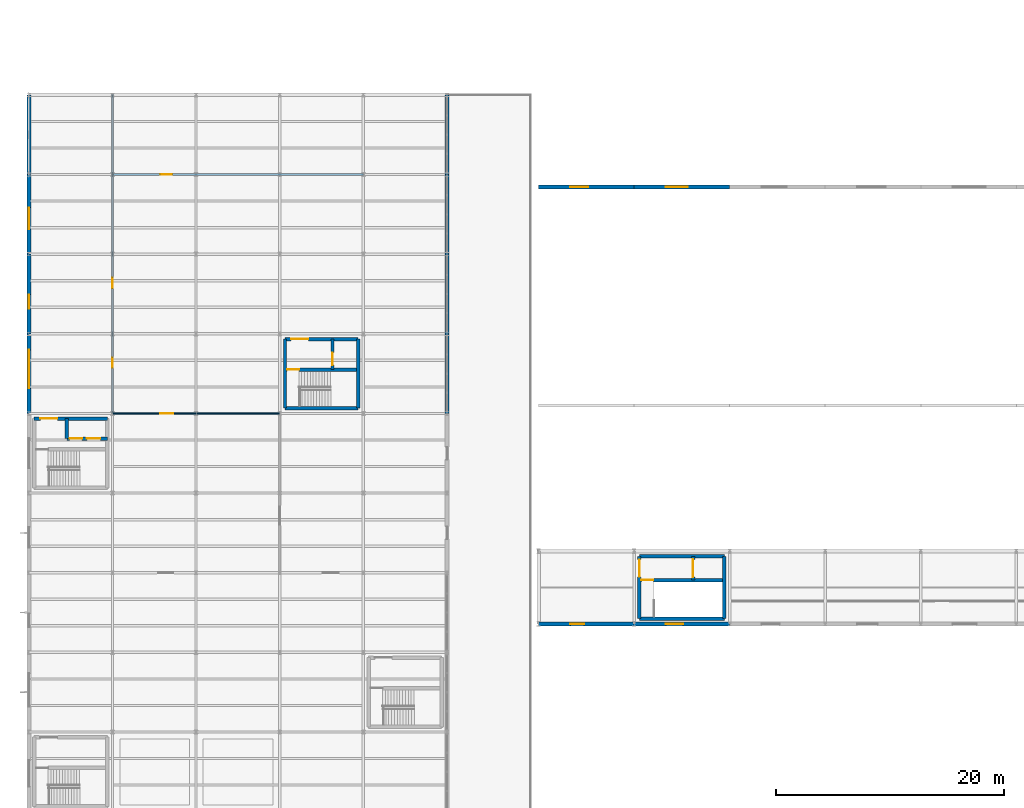
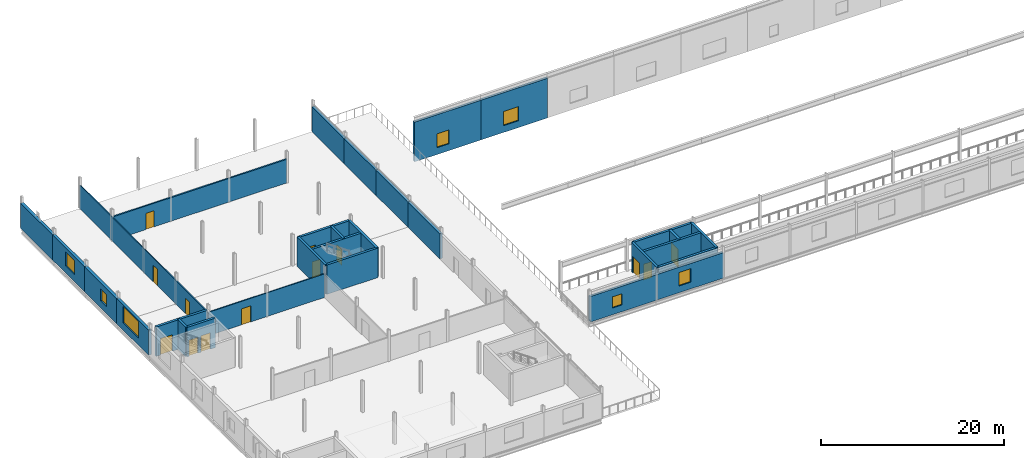
# One storey, part 31 of 39: 30 walls, 13 doors, 7 windows, 20 openings.
"""IFC4 building model written with IfcOpenShell, lengths in metres."""

from ifc_helpers import new_model, si_unit, direction, frame, frame_2d, origin, place, context, subcontext, project, spatial, rectangle, extrude, material, layer, layer_set, type_object, element, fill, save


model = new_model("IFC4")

# Units and contexts
model_context = context("Model", 3, precision=1e-05, world=origin(), true_north=direction((0.0, 1.0)))
body_context = subcontext(model_context, "Body", "Model", "MODEL_VIEW")
ifc_project = project(units=[si_unit("LENGTHUNIT", "METRE"), si_unit("AREAUNIT", "SQUARE_METRE"), si_unit("VOLUMEUNIT", "CUBIC_METRE"), si_unit("PLANEANGLEUNIT", "RADIAN"), si_unit("MASSUNIT", "GRAM", prefix="KILO")], contexts=[model_context])

# Site, building, storey
site_placement = place(None, origin())
site = spatial("IfcSite", under=ifc_project, at=site_placement, CompositionType="ELEMENT")
building_placement = place(site_placement, origin())
building = spatial("IfcBuilding", under=site, at=building_placement, Name="Kazenagashi Tramway Depot", CompositionType="ELEMENT")
storey_placement = place(building_placement, frame((0.0, 0.0, 11.1)))
storey = spatial("IfcBuildingStorey", under=building, at=storey_placement, Name="L03", CompositionType="ELEMENT", Elevation=11.1)

# Wall, opening, window
ifc_material_1 = material(Name="Clay Brick Masonry JIS R 1250 Class 1 (20 MPa)", Category="masonry")
ifc_layer_1 = layer(ifc_material_1, 0.36)
ifc_layer_set_1 = layer_set([ifc_layer_1], Name="Clay Brick Masonry JIS R 1250 Class 1 (20 MPa)")
wall_type_1 = type_object("IfcWallType", Name="W-BK2", PredefinedType="SOLIDWALL", material=ifc_layer_set_1)
wall_1_placement = place(storey_placement, frame((0.0, 35.0, 0.0), z_axis=(0.0, 0.0, 1.0), x_axis=(0.0, 1.0, 0.0)))
wall_1 = element("IfcWall", 1, at=wall_1_placement, inside=storey, type_object=wall_type_1, Name="Exterior Brick Wall W-BK2 EWALL-0226", PredefinedType="SOLIDWALL", context=body_context, shape_type="SweptSolid", body=[
    extrude(rectangle(XDim=7.0, YDim=0.36, at=frame_2d((3.5, 0.0))), origin(), (0.0, 0.0, 1.0), 3.35),
])
opening_1_placement = place(wall_1_placement, frame((2.2, 0.0, 0.95)))
opening_1 = element("IfcOpeningElement", 2, at=opening_1_placement, cuts=wall_1, Name="Opening WN-16", PredefinedType="OPENING", context=body_context, shape_type="SweptSolid", body=[
    extrude(rectangle(XDim=3.4, YDim=2.2, at=frame_2d((1.7, 1.1))), frame((0.0, 0.19, 0.0), z_axis=(0.0, -1.0, 0.0), x_axis=(1.0, 0.0, 0.0)), (0.0, 0.0, 1.0), 0.38),
])
ifc_material_2 = material(Name="Anodised Aluminium and Tempered Low-E Glass", Category="aluminium")
window_type_1 = type_object("IfcWindowType", Name="WN-16", PartitioningType="SINGLE_PANEL", PredefinedType="WINDOW", material=ifc_material_2)
window_1_placement = place(opening_1_placement, origin())
window_1 = element("IfcWindow", 3, at=window_1_placement, inside=storey, type_object=window_type_1, Name="Window WN-16 WIN-0208", OverallHeight=2.2, OverallWidth=3.4, PartitioningType="SINGLE_PANEL", PredefinedType="WINDOW", context=body_context, shape_type="SweptSolid", body=[
    extrude(rectangle(XDim=3.4, YDim=2.2, at=frame_2d((1.7, 1.1))), frame((0.0, 0.03, 0.0), z_axis=(0.0, -1.0, 0.0), x_axis=(1.0, 0.0, 0.0)), (0.0, 0.0, 1.0), 0.06),
])
fill(opening_1, window_1)

wall_2_placement = place(storey_placement, frame((0.0, 42.0, 0.0), z_axis=(0.0, 0.0, 1.0), x_axis=(0.0, 1.0, 0.0)))
wall_2 = element("IfcWall", 4, at=wall_2_placement, inside=storey, type_object=wall_type_1, Name="Exterior Brick Wall W-BK2 EWALL-0231", PredefinedType="SOLIDWALL", context=body_context, shape_type="SweptSolid", body=[
    extrude(rectangle(XDim=7.0, YDim=0.36, at=frame_2d((3.5, 0.0))), origin(), (0.0, 0.0, 1.0), 3.35),
])
opening_2_placement = place(wall_2_placement, frame((2.2, 0.0, 0.95)))
opening_2 = element("IfcOpeningElement", 5, at=opening_2_placement, cuts=wall_2, Name="Opening WN-21", PredefinedType="OPENING", context=body_context, shape_type="SweptSolid", body=[
    extrude(rectangle(XDim=1.25, YDim=1.55, at=frame_2d((0.625, 0.775))), frame((0.0, 0.19, 0.0), z_axis=(0.0, -1.0, 0.0), x_axis=(1.0, 0.0, 0.0)), (0.0, 0.0, 1.0), 0.38),
])
window_type_2 = type_object("IfcWindowType", Name="WN-21", PartitioningType="SINGLE_PANEL", PredefinedType="WINDOW", material=ifc_material_2)
window_2_placement = place(opening_2_placement, origin())
window_2 = element("IfcWindow", 6, at=window_2_placement, inside=storey, type_object=window_type_2, Name="Window WN-21 WIN-0213", OverallHeight=1.55, OverallWidth=1.25, PartitioningType="SINGLE_PANEL", PredefinedType="WINDOW", context=body_context, shape_type="SweptSolid", body=[
    extrude(rectangle(XDim=1.25, YDim=1.55, at=frame_2d((0.625, 0.775))), frame((0.0, 0.03, 0.0), z_axis=(0.0, -1.0, 0.0), x_axis=(1.0, 0.0, 0.0)), (0.0, 0.0, 1.0), 0.06),
])
fill(opening_2, window_2)

wall_3_placement = place(storey_placement, frame((0.0, 49.0, 0.0), z_axis=(0.0, 0.0, 1.0), x_axis=(0.0, 1.0, 0.0)))
wall_3 = element("IfcWall", 7, at=wall_3_placement, inside=storey, type_object=wall_type_1, Name="Exterior Brick Wall W-BK2 EWALL-0235", PredefinedType="SOLIDWALL", context=body_context, shape_type="SweptSolid", body=[
    extrude(rectangle(XDim=7.0, YDim=0.36, at=frame_2d((3.5, 0.0))), origin(), (0.0, 0.0, 1.0), 3.35),
])
opening_3_placement = place(wall_3_placement, frame((2.2, 0.0, 0.95)))
opening_3 = element("IfcOpeningElement", 8, at=opening_3_placement, cuts=wall_3, Name="Opening WN-25", PredefinedType="OPENING", context=body_context, shape_type="SweptSolid", body=[
    extrude(rectangle(XDim=1.9, YDim=1.9, at=frame_2d((0.95, 0.95))), frame((0.0, 0.19, 0.0), z_axis=(0.0, -1.0, 0.0), x_axis=(1.0, 0.0, 0.0)), (0.0, 0.0, 1.0), 0.38),
])
window_type_3 = type_object("IfcWindowType", Name="WN-25", PartitioningType="SINGLE_PANEL", PredefinedType="WINDOW", material=ifc_material_2)
window_3_placement = place(opening_3_placement, origin())
window_3 = element("IfcWindow", 9, at=window_3_placement, inside=storey, type_object=window_type_3, Name="Window WN-25 WIN-0217", OverallHeight=1.9, OverallWidth=1.9, PartitioningType="SINGLE_PANEL", PredefinedType="WINDOW", context=body_context, shape_type="SweptSolid", body=[
    extrude(rectangle(XDim=1.9, YDim=1.9, at=frame_2d((0.95, 0.95))), frame((0.0, 0.03, 0.0), z_axis=(0.0, -1.0, 0.0), x_axis=(1.0, 0.0, 0.0)), (0.0, 0.0, 1.0), 0.06),
])
fill(opening_3, window_3)

# Wall
wall_4_placement = place(storey_placement, frame((0.0, 56.0, 0.0), z_axis=(0.0, 0.0, 1.0), x_axis=(0.0, 1.0, 0.0)))
element("IfcWall", 10, at=wall_4_placement, inside=storey, type_object=wall_type_1, Name="Exterior Brick Wall W-BK2 EWALL-0238", PredefinedType="SOLIDWALL", context=body_context, shape_type="SweptSolid", body=[
    extrude(rectangle(XDim=7.0, YDim=0.36, at=frame_2d((3.5, 0.0))), origin(), (0.0, 0.0, 1.0), 3.35),
])

# Wall, opening, window
ifc_layer_2 = layer(ifc_material_1, 0.32)
ifc_layer_set_2 = layer_set([ifc_layer_2], Name="Clay Brick Masonry JIS R 1250 Class 1 (20 MPa)")
wall_type_2 = type_object("IfcWallType", Name="W-BK3", PredefinedType="SOLIDWALL", material=ifc_layer_set_2)
wall_5_placement = place(storey_placement, frame((44.8, 16.5, 0.0), z_axis=(0.0, 0.0, 1.0), x_axis=(1.0, 0.0, 0.0)))
wall_5 = element("IfcWall", 11, at=wall_5_placement, inside=storey, type_object=wall_type_2, Name="Exterior Brick Wall W-BK3 EWALL-0078", PredefinedType="SOLIDWALL", context=body_context, shape_type="SweptSolid", body=[
    extrude(rectangle(XDim=8.4, YDim=0.32, at=frame_2d((4.2, 0.0))), origin(), (0.0, 0.0, 1.0), 3.4),
])
opening_4_placement = place(wall_5_placement, frame((2.8, 0.0, 0.9)))
opening_4 = element("IfcOpeningElement", 12, at=opening_4_placement, cuts=wall_5, Name="Opening WN-01", PredefinedType="OPENING", context=body_context, shape_type="SweptSolid", body=[
    extrude(rectangle(XDim=1.2, YDim=1.5, at=frame_2d((0.6, 0.75))), frame((0.0, 0.17, 0.0), z_axis=(0.0, -1.0, 0.0), x_axis=(1.0, 0.0, 0.0)), (0.0, 0.0, 1.0), 0.34),
])
window_type_4 = type_object("IfcWindowType", Name="WN-01", PartitioningType="SINGLE_PANEL", PredefinedType="WINDOW", material=ifc_material_2)
window_4_placement = place(opening_4_placement, origin())
window_4 = element("IfcWindow", 13, at=window_4_placement, inside=storey, type_object=window_type_4, Name="Window WN-01 WIN-0049", OverallHeight=1.5, OverallWidth=1.2, PartitioningType="SINGLE_PANEL", PredefinedType="WINDOW", context=body_context, shape_type="SweptSolid", body=[
    extrude(rectangle(XDim=1.2, YDim=1.5, at=frame_2d((0.6, 0.75))), frame((0.0, 0.03, 0.0), z_axis=(0.0, -1.0, 0.0), x_axis=(1.0, 0.0, 0.0)), (0.0, 0.0, 1.0), 0.06),
])
fill(opening_4, window_4)

wall_6_placement = place(storey_placement, frame((53.2, 16.5, 0.0), z_axis=(0.0, 0.0, 1.0), x_axis=(1.0, 0.0, 0.0)))
wall_6 = element("IfcWall", 14, at=wall_6_placement, inside=storey, type_object=wall_type_2, Name="Exterior Brick Wall W-BK3 EWALL-0080", PredefinedType="SOLIDWALL", context=body_context, shape_type="SweptSolid", body=[
    extrude(rectangle(XDim=8.4, YDim=0.32, at=frame_2d((4.2, 0.0))), origin(), (0.0, 0.0, 1.0), 3.4),
])
opening_5_placement = place(wall_6_placement, frame((2.8, 0.0, 0.9)))
opening_5 = element("IfcOpeningElement", 15, at=opening_5_placement, cuts=wall_6, Name="Opening WN-03", PredefinedType="OPENING", context=body_context, shape_type="SweptSolid", body=[
    extrude(rectangle(XDim=1.5, YDim=1.8, at=frame_2d((0.75, 0.9))), frame((0.0, 0.17, 0.0), z_axis=(0.0, -1.0, 0.0), x_axis=(1.0, 0.0, 0.0)), (0.0, 0.0, 1.0), 0.34),
])
window_type_5 = type_object("IfcWindowType", Name="WN-03", PartitioningType="SINGLE_PANEL", PredefinedType="WINDOW", material=ifc_material_2)
window_5_placement = place(opening_5_placement, origin())
window_5 = element("IfcWindow", 16, at=window_5_placement, inside=storey, type_object=window_type_5, Name="Window WN-03 WIN-0051", OverallHeight=1.8, OverallWidth=1.5, PartitioningType="SINGLE_PANEL", PredefinedType="WINDOW", context=body_context, shape_type="SweptSolid", body=[
    extrude(rectangle(XDim=1.5, YDim=1.8, at=frame_2d((0.75, 0.9))), frame((0.0, 0.03, 0.0), z_axis=(0.0, -1.0, 0.0), x_axis=(1.0, 0.0, 0.0)), (0.0, 0.0, 1.0), 0.06),
])
fill(opening_5, window_5)

wall_7_placement = place(storey_placement, frame((44.8, 54.9, -1.9), z_axis=(0.0, 0.0, 1.0), x_axis=(1.0, 0.0, 0.0)))
wall_7 = element("IfcWall", 17, at=wall_7_placement, inside=storey, type_object=wall_type_2, Name="Exterior Brick Wall W-BK3 EWALL-0102", PredefinedType="SOLIDWALL", context=body_context, shape_type="SweptSolid", body=[
    extrude(rectangle(XDim=8.4, YDim=0.32, at=frame_2d((4.2, 0.0))), origin(), (0.0, 0.0, 1.0), 5.3),
])
opening_6_placement = place(wall_7_placement, frame((2.8, 0.0, 0.9)))
opening_6 = element("IfcOpeningElement", 18, at=opening_6_placement, cuts=wall_7, Name="Opening WN-23", PredefinedType="OPENING", context=body_context, shape_type="SweptSolid", body=[
    extrude(rectangle(XDim=1.55, YDim=1.85, at=frame_2d((0.775, 0.925))), frame((0.0, 0.17, 0.0), z_axis=(0.0, -1.0, 0.0), x_axis=(1.0, 0.0, 0.0)), (0.0, 0.0, 1.0), 0.34),
])
window_type_6 = type_object("IfcWindowType", Name="WN-23", PartitioningType="SINGLE_PANEL", PredefinedType="WINDOW", material=ifc_material_2)
window_6_placement = place(opening_6_placement, origin())
window_6 = element("IfcWindow", 19, at=window_6_placement, inside=storey, type_object=window_type_6, Name="Window WN-23 WIN-0071", OverallHeight=1.85, OverallWidth=1.55, PartitioningType="SINGLE_PANEL", PredefinedType="WINDOW", context=body_context, shape_type="SweptSolid", body=[
    extrude(rectangle(XDim=1.55, YDim=1.85, at=frame_2d((0.775, 0.925))), frame((0.0, 0.03, 0.0), z_axis=(0.0, -1.0, 0.0), x_axis=(1.0, 0.0, 0.0)), (0.0, 0.0, 1.0), 0.06),
])
fill(opening_6, window_6)

wall_8_placement = place(storey_placement, frame((53.2, 54.9, -1.9), z_axis=(0.0, 0.0, 1.0), x_axis=(1.0, 0.0, 0.0)))
wall_8 = element("IfcWall", 20, at=wall_8_placement, inside=storey, type_object=wall_type_2, Name="Exterior Brick Wall W-BK3 EWALL-0104", PredefinedType="SOLIDWALL", context=body_context, shape_type="SweptSolid", body=[
    extrude(rectangle(XDim=8.4, YDim=0.32, at=frame_2d((4.2, 0.0))), origin(), (0.0, 0.0, 1.0), 5.3),
])
opening_7_placement = place(wall_8_placement, frame((2.8, 0.0, 0.9)))
opening_7 = element("IfcOpeningElement", 21, at=opening_7_placement, cuts=wall_8, Name="Opening WN-25", PredefinedType="OPENING", context=body_context, shape_type="SweptSolid", body=[
    extrude(rectangle(XDim=1.9, YDim=1.9, at=frame_2d((0.95, 0.95))), frame((0.0, 0.17, 0.0), z_axis=(0.0, -1.0, 0.0), x_axis=(1.0, 0.0, 0.0)), (0.0, 0.0, 1.0), 0.34),
])
window_7_placement = place(opening_7_placement, origin())
window_7 = element("IfcWindow", 22, at=window_7_placement, inside=storey, type_object=window_type_3, Name="Window WN-25 WIN-0073", OverallHeight=1.9, OverallWidth=1.9, PartitioningType="SINGLE_PANEL", PredefinedType="WINDOW", context=body_context, shape_type="SweptSolid", body=[
    extrude(rectangle(XDim=1.9, YDim=1.9, at=frame_2d((0.95, 0.95))), frame((0.0, 0.03, 0.0), z_axis=(0.0, -1.0, 0.0), x_axis=(1.0, 0.0, 0.0)), (0.0, 0.0, 1.0), 0.06),
])
fill(opening_7, window_7)

# Walls
for number, where, z_axis, x_axis, name in (
    (23, (36.75, 35.0, 0.0), (0.0, 0.0, 1.0), (0.0, 1.0, 0.0), "Exterior Brick Wall W-BK3 EWALL-0244"),
    (24, (36.75, 42.0, 0.0), (0.0, 0.0, 1.0), (0.0, 1.0, 0.0), "Exterior Brick Wall W-BK3 EWALL-0245"),
    (25, (36.75, 49.0, 0.0), (0.0, 0.0, 1.0), (0.0, 1.0, 0.0), "Exterior Brick Wall W-BK3 EWALL-0246"),
    (26, (36.75, 56.0, 0.0), (0.0, 0.0, 1.0), (0.0, 1.0, 0.0), "Exterior Brick Wall W-BK3 EWALL-0247"),
):
    element("IfcWall", number, at=place(storey_placement, frame(where, z_axis=z_axis, x_axis=x_axis)), inside=storey, type_object=wall_type_2, Name=name, PredefinedType="SOLIDWALL", context=body_context, shape_type="SweptSolid", body=[
        extrude(rectangle(XDim=7.0, YDim=0.32, at=frame_2d((3.5, 0.0))), origin(), (0.0, 0.0, 1.0), 3.35),
    ])

# Wall, opening, door
ifc_material_3 = material(Name="Gypsum Plasterboard Partition", Category="gypsum")
ifc_layer_3 = layer(ifc_material_3, 0.125)
ifc_layer_set_3 = layer_set([ifc_layer_3], Name="Gypsum Plasterboard Partition")
wall_type_3 = type_object("IfcWallType", Name="W-PT2", PredefinedType="PARTITIONING", material=ifc_layer_set_3)
wall_9_placement = place(storey_placement, frame((7.35, 35.0, 0.0), z_axis=(0.0, 0.0, 1.0), x_axis=(1.0, 0.0, 0.0)))
wall_9 = element("IfcWall", 27, at=wall_9_placement, inside=storey, type_object=wall_type_3, Name="Interior Partition W-PT2 IWALL-0277", PredefinedType="PARTITIONING", context=body_context, shape_type="SweptSolid", body=[
    extrude(rectangle(XDim=14.7, YDim=0.125, at=frame_2d((7.35, 0.0))), origin(), (0.0, 0.0, 1.0), 3.15),
])
opening_8_placement = place(wall_9_placement, frame((4.2, 0.0, 0.0)))
opening_8 = element("IfcOpeningElement", 28, at=opening_8_placement, cuts=wall_9, Name="Opening D-186", PredefinedType="OPENING", context=body_context, shape_type="SweptSolid", body=[
    extrude(rectangle(XDim=1.15, YDim=2.15, at=frame_2d((0.575, 1.075))), frame((0.0, 0.0725, 0.0), z_axis=(0.0, -1.0, 0.0), x_axis=(1.0, 0.0, 0.0)), (0.0, 0.0, 1.0), 0.145),
])
ifc_material_4 = material(Name="Powder-Coated Steel Door", Category="steel")
door_type_1 = type_object("IfcDoorType", Name="DT-13", OperationType="NOTDEFINED", PredefinedType="DOOR", material=ifc_material_4)
door_1_placement = place(opening_8_placement, origin())
door_1 = element("IfcDoor", 29, at=door_1_placement, inside=storey, type_object=door_type_1, Name="Interior Door D-186", OperationType="SINGLE_SWING_LEFT", OverallHeight=2.15, OverallWidth=1.15, PredefinedType="DOOR", context=body_context, shape_type="SweptSolid", body=[
    extrude(rectangle(XDim=1.15, YDim=2.15, at=frame_2d((0.575, 1.075))), frame((0.0, 0.025, 0.0), z_axis=(0.0, -1.0, 0.0), x_axis=(1.0, 0.0, 0.0)), (0.0, 0.0, 1.0), 0.05),
])
fill(opening_8, door_1)

# Wall, openings, doors
wall_10_placement = place(storey_placement, frame((7.35, 35.0, 0.0), z_axis=(0.0, 0.0, 1.0), x_axis=(0.0, 1.0, 0.0)))
wall_10 = element("IfcWall", 30, at=wall_10_placement, inside=storey, type_object=wall_type_3, Name="Interior Partition W-PT2 IWALL-0278", PredefinedType="PARTITIONING", context=body_context, shape_type="SweptSolid", body=[
    extrude(rectangle(XDim=28.0, YDim=0.125, at=frame_2d((14.0, 0.0))), origin(), (0.0, 0.0, 1.0), 3.15),
])
opening_9_placement = place(wall_10_placement, frame((4.0, 0.0, 0.0)))
opening_9 = element("IfcOpeningElement", 31, at=opening_9_placement, cuts=wall_10, Name="Opening D-187", PredefinedType="OPENING", context=body_context, shape_type="SweptSolid", body=[
    extrude(rectangle(XDim=0.9, YDim=2.1, at=frame_2d((0.45, 1.05))), frame((0.0, 0.0725, 0.0), z_axis=(0.0, -1.0, 0.0), x_axis=(1.0, 0.0, 0.0)), (0.0, 0.0, 1.0), 0.145),
])
opening_10_placement = place(wall_10_placement, frame((11.0, 0.0, 0.0)))
opening_10 = element("IfcOpeningElement", 32, at=opening_10_placement, cuts=wall_10, Name="Opening D-188", PredefinedType="OPENING", context=body_context, shape_type="SweptSolid", body=[
    extrude(rectangle(XDim=0.95, YDim=2.2, at=frame_2d((0.475, 1.1))), frame((0.0, 0.0725, 0.0), z_axis=(0.0, -1.0, 0.0), x_axis=(1.0, 0.0, 0.0)), (0.0, 0.0, 1.0), 0.145),
])
door_type_2 = type_object("IfcDoorType", Name="DT-19", OperationType="NOTDEFINED", PredefinedType="DOOR", material=ifc_material_4)
door_2_placement = place(opening_9_placement, origin())
door_2 = element("IfcDoor", 33, at=door_2_placement, inside=storey, type_object=door_type_2, Name="Interior Door D-187", OperationType="SINGLE_SWING_RIGHT", OverallHeight=2.1, OverallWidth=0.9, PredefinedType="DOOR", context=body_context, shape_type="SweptSolid", body=[
    extrude(rectangle(XDim=0.9, YDim=2.1, at=frame_2d((0.45, 1.05))), frame((0.0, 0.025, 0.0), z_axis=(0.0, -1.0, 0.0), x_axis=(1.0, 0.0, 0.0)), (0.0, 0.0, 1.0), 0.05),
])
fill(opening_9, door_2)
door_type_3 = type_object("IfcDoorType", Name="DT-20", OperationType="NOTDEFINED", PredefinedType="DOOR", material=ifc_material_4)
door_3_placement = place(opening_10_placement, origin())
door_3 = element("IfcDoor", 34, at=door_3_placement, inside=storey, type_object=door_type_3, Name="Interior Door D-188", OperationType="SINGLE_SWING_LEFT", OverallHeight=2.2, OverallWidth=0.95, PredefinedType="DOOR", context=body_context, shape_type="SweptSolid", body=[
    extrude(rectangle(XDim=0.95, YDim=2.2, at=frame_2d((0.475, 1.1))), frame((0.0, 0.025, 0.0), z_axis=(0.0, -1.0, 0.0), x_axis=(1.0, 0.0, 0.0)), (0.0, 0.0, 1.0), 0.05),
])
fill(opening_10, door_3)

# Wall, opening, door
ifc_layer_4 = layer(ifc_material_3, 0.18)
ifc_layer_set_4 = layer_set([ifc_layer_4], Name="Gypsum Plasterboard Partition")
wall_type_4 = type_object("IfcWallType", Name="W-PT4", PredefinedType="PARTITIONING", material=ifc_layer_set_4)
wall_11_placement = place(storey_placement, frame((7.35, 56.0, 0.0), z_axis=(0.0, 0.0, 1.0), x_axis=(1.0, 0.0, 0.0)))
wall_11 = element("IfcWall", 35, at=wall_11_placement, inside=storey, type_object=wall_type_4, Name="Interior Partition W-PT4 IWALL-0279", PredefinedType="PARTITIONING", context=body_context, shape_type="SweptSolid", body=[
    extrude(rectangle(XDim=22.05, YDim=0.18, at=frame_2d((11.025, 0.0))), origin(), (0.0, 0.0, 1.0), 3.15),
])
opening_11_placement = place(wall_11_placement, frame((4.2, 0.0, 0.0)))
opening_11 = element("IfcOpeningElement", 36, at=opening_11_placement, cuts=wall_11, Name="Opening D-189", PredefinedType="OPENING", context=body_context, shape_type="SweptSolid", body=[
    extrude(rectangle(XDim=1.05, YDim=2.15, at=frame_2d((0.525, 1.075))), frame((0.0, 0.1, 0.0), z_axis=(0.0, -1.0, 0.0), x_axis=(1.0, 0.0, 0.0)), (0.0, 0.0, 1.0), 0.2),
])
ifc_material_5 = material(Name="Galvanised Fire-Rated Steel Door", Category="steel")
door_type_4 = type_object("IfcDoorType", Name="DT-07", OperationType="NOTDEFINED", PredefinedType="DOOR", material=ifc_material_5)
door_4_placement = place(opening_11_placement, origin())
door_4 = element("IfcDoor", 37, at=door_4_placement, inside=storey, type_object=door_type_4, Name="Interior Door D-189", OperationType="SINGLE_SWING_RIGHT", OverallHeight=2.15, OverallWidth=1.05, PredefinedType="DOOR", context=body_context, shape_type="SweptSolid", body=[
    extrude(rectangle(XDim=1.05, YDim=2.15, at=frame_2d((0.525, 1.075))), frame((0.0, 0.025, 0.0), z_axis=(0.0, -1.0, 0.0), x_axis=(1.0, 0.0, 0.0)), (0.0, 0.0, 1.0), 0.05),
])
fill(opening_11, door_4)

ifc_material_6 = material(Name="Concrete Fc36", Category="concrete")
ifc_layer_5 = layer(ifc_material_6, 0.3)
ifc_layer_set_5 = layer_set([ifc_layer_5], Name="Concrete Fc36")
wall_type_5 = type_object("IfcWallType", Name="W-RC1", PredefinedType="SHEAR", material=ifc_layer_set_5)
wall_12_placement = place(storey_placement, frame((0.46, 34.54, 0.0), z_axis=(0.0, 0.0, 1.0), x_axis=(1.0, 0.0, 0.0)))
wall_12 = element("IfcWall", 38, at=wall_12_placement, inside=storey, type_object=wall_type_5, Name="Core Shear Wall W-RC1 IWALL-0028", PredefinedType="SHEAR", context=body_context, shape_type="SweptSolid", body=[
    extrude(rectangle(XDim=6.43, YDim=0.3, at=frame_2d((3.215, 0.0))), origin(), (0.0, 0.0, 1.0), 3.92),
])
opening_12_placement = place(wall_12_placement, frame((0.55, 0.0, 0.0)))
opening_12 = element("IfcOpeningElement", 39, at=opening_12_placement, cuts=wall_12, Name="Opening D-056", PredefinedType="OPENING", context=body_context, shape_type="SweptSolid", body=[
    extrude(rectangle(XDim=1.5, YDim=2.2, at=frame_2d((0.75, 1.1))), frame((0.0, 0.16, 0.0), z_axis=(0.0, -1.0, 0.0), x_axis=(1.0, 0.0, 0.0)), (0.0, 0.0, 1.0), 0.32),
])
door_type_5 = type_object("IfcDoorType", Name="DT-05", OperationType="NOTDEFINED", PredefinedType="DOOR", material=ifc_material_5)
door_5_placement = place(opening_12_placement, origin())
door_5 = element("IfcDoor", 40, at=door_5_placement, inside=storey, type_object=door_type_5, Name="Interior Door D-056", OperationType="DOUBLE_DOOR_SINGLE_SWING", OverallHeight=2.2, OverallWidth=1.5, PredefinedType="DOOR", context=body_context, shape_type="SweptSolid", body=[
    extrude(rectangle(XDim=1.5, YDim=2.2, at=frame_2d((0.75, 1.1))), frame((0.0, 0.025, 0.0), z_axis=(0.0, -1.0, 0.0), x_axis=(1.0, 0.0, 0.0)), (0.0, 0.0, 1.0), 0.05),
])
fill(opening_12, door_5)

# Wall
wall_13_placement = place(storey_placement, frame((3.34, 32.79, 0.0), z_axis=(0.0, 0.0, 1.0), x_axis=(0.0, 1.0, 0.0)))
element("IfcWall", 41, at=wall_13_placement, inside=storey, type_object=wall_type_5, Name="Core Shear Wall W-RC1 IWALL-0032", PredefinedType="SHEAR", context=body_context, shape_type="SweptSolid", body=[
    extrude(rectangle(XDim=1.75, YDim=0.3, at=frame_2d((0.875, 0.0))), origin(), (0.0, 0.0, 1.0), 3.92),
])

# Wall, openings, doors
wall_14_placement = place(storey_placement, frame((3.34, 32.79, 0.0), z_axis=(0.0, 0.0, 1.0), x_axis=(1.0, 0.0, 0.0)))
wall_14 = element("IfcWall", 42, at=wall_14_placement, inside=storey, type_object=wall_type_5, Name="Core Shear Wall W-RC1 IWALL-0033", PredefinedType="SHEAR", context=body_context, shape_type="SweptSolid", body=[
    extrude(rectangle(XDim=3.55, YDim=0.3, at=frame_2d((1.775, 0.0))), origin(), (0.0, 0.0, 1.0), 3.92),
])
opening_13_placement = place(wall_14_placement, frame((0.25, 0.0, 0.0)))
opening_13 = element("IfcOpeningElement", 43, at=opening_13_placement, cuts=wall_14, Name="Opening LD-05", PredefinedType="OPENING", context=body_context, shape_type="SweptSolid", body=[
    extrude(rectangle(XDim=1.1, YDim=2.15, at=frame_2d((0.55, 1.075))), frame((0.0, 0.16, 0.0), z_axis=(0.0, -1.0, 0.0), x_axis=(1.0, 0.0, 0.0)), (0.0, 0.0, 1.0), 0.32),
])
opening_14_placement = place(wall_14_placement, frame((1.75, 0.0, 0.0)))
opening_14 = element("IfcOpeningElement", 44, at=opening_14_placement, cuts=wall_14, Name="Opening LD-06", PredefinedType="OPENING", context=body_context, shape_type="SweptSolid", body=[
    extrude(rectangle(XDim=1.2, YDim=2.2, at=frame_2d((0.6, 1.1))), frame((0.0, 0.16, 0.0), z_axis=(0.0, -1.0, 0.0), x_axis=(1.0, 0.0, 0.0)), (0.0, 0.0, 1.0), 0.32),
])
ifc_material_7 = material(Name="Brushed Stainless Steel Landing Door", Category="steel")
door_type_6 = type_object("IfcDoorType", Name="DT-29", OperationType="NOTDEFINED", PredefinedType="DOOR", material=ifc_material_7)
door_6_placement = place(opening_13_placement, origin())
door_6 = element("IfcDoor", 45, at=door_6_placement, inside=storey, type_object=door_type_6, Name="Lift Sliding Landing Door LD-05", OperationType="SLIDING_TO_LEFT", OverallHeight=2.15, OverallWidth=1.1, PredefinedType="DOOR", context=body_context, shape_type="SweptSolid", body=[
    extrude(rectangle(XDim=1.1, YDim=2.15, at=frame_2d((0.55, 1.075))), frame((0.0, 0.025, 0.0), z_axis=(0.0, -1.0, 0.0), x_axis=(1.0, 0.0, 0.0)), (0.0, 0.0, 1.0), 0.05),
])
fill(opening_13, door_6)
door_type_7 = type_object("IfcDoorType", Name="DT-30", OperationType="NOTDEFINED", PredefinedType="DOOR", material=ifc_material_7)
door_7_placement = place(opening_14_placement, origin())
door_7 = element("IfcDoor", 46, at=door_7_placement, inside=storey, type_object=door_type_7, Name="Lift Sliding Landing Door LD-06", OperationType="SLIDING_TO_RIGHT", OverallHeight=2.2, OverallWidth=1.2, PredefinedType="DOOR", context=body_context, shape_type="SweptSolid", body=[
    extrude(rectangle(XDim=1.2, YDim=2.2, at=frame_2d((0.6, 1.1))), frame((0.0, 0.025, 0.0), z_axis=(0.0, -1.0, 0.0), x_axis=(1.0, 0.0, 0.0)), (0.0, 0.0, 1.0), 0.05),
])
fill(opening_14, door_7)

# Wall
wall_15_placement = place(storey_placement, frame((22.51, 35.46, 0.0), z_axis=(0.0, 0.0, 1.0), x_axis=(1.0, 0.0, 0.0)))
element("IfcWall", 47, at=wall_15_placement, inside=storey, type_object=wall_type_5, Name="Core Shear Wall W-RC1 IWALL-0060", PredefinedType="SHEAR", context=body_context, shape_type="SweptSolid", body=[
    extrude(rectangle(XDim=6.43, YDim=0.3, at=frame_2d((3.215, 0.0))), origin(), (0.0, 0.0, 1.0), 3.92),
])

# Wall, opening, door
wall_16_placement = place(storey_placement, frame((22.51, 41.54, 0.0), z_axis=(0.0, 0.0, 1.0), x_axis=(1.0, 0.0, 0.0)))
wall_16 = element("IfcWall", 48, at=wall_16_placement, inside=storey, type_object=wall_type_5, Name="Core Shear Wall W-RC1 IWALL-0061", PredefinedType="SHEAR", context=body_context, shape_type="SweptSolid", body=[
    extrude(rectangle(XDim=6.43, YDim=0.3, at=frame_2d((3.215, 0.0))), origin(), (0.0, 0.0, 1.0), 3.92),
])
opening_15_placement = place(wall_16_placement, frame((0.55, 0.0, 0.0)))
opening_15 = element("IfcOpeningElement", 49, at=opening_15_placement, cuts=wall_16, Name="Opening D-066", PredefinedType="OPENING", context=body_context, shape_type="SweptSolid", body=[
    extrude(rectangle(XDim=1.5, YDim=2.2, at=frame_2d((0.75, 1.1))), frame((0.0, 0.16, 0.0), z_axis=(0.0, -1.0, 0.0), x_axis=(1.0, 0.0, 0.0)), (0.0, 0.0, 1.0), 0.32),
])
door_8_placement = place(opening_15_placement, origin())
door_8 = element("IfcDoor", 50, at=door_8_placement, inside=storey, type_object=door_type_5, Name="Interior Door D-066", OperationType="DOUBLE_DOOR_SINGLE_SWING", OverallHeight=2.2, OverallWidth=1.5, PredefinedType="DOOR", context=body_context, shape_type="SweptSolid", body=[
    extrude(rectangle(XDim=1.5, YDim=2.2, at=frame_2d((0.75, 1.1))), frame((0.0, 0.025, 0.0), z_axis=(0.0, -1.0, 0.0), x_axis=(1.0, 0.0, 0.0)), (0.0, 0.0, 1.0), 0.05),
])
fill(opening_15, door_8)

# Walls
for number, where, z_axis, x_axis, name in (
    (51, (22.51, 35.46, 0.0), (0.0, 0.0, 1.0), (0.0, 1.0, 0.0), "Core Shear Wall W-RC1 IWALL-0062"),
    (52, (28.94, 35.46, 0.0), (0.0, 0.0, 1.0), (0.0, 1.0, 0.0), "Core Shear Wall W-RC1 IWALL-0063"),
):
    element("IfcWall", number, at=place(storey_placement, frame(where, z_axis=z_axis, x_axis=x_axis)), inside=storey, type_object=wall_type_5, Name=name, PredefinedType="SHEAR", context=body_context, shape_type="SweptSolid", body=[
        extrude(rectangle(XDim=6.08, YDim=0.3, at=frame_2d((3.04, 0.0))), origin(), (0.0, 0.0, 1.0), 3.92),
    ])

# Wall, opening, door
wall_17_placement = place(storey_placement, frame((22.51, 38.85, 0.0), z_axis=(0.0, 0.0, 1.0), x_axis=(1.0, 0.0, 0.0)))
wall_17 = element("IfcWall", 53, at=wall_17_placement, inside=storey, type_object=wall_type_5, Name="Core Shear Wall W-RC1 IWALL-0064", PredefinedType="SHEAR", context=body_context, shape_type="SweptSolid", body=[
    extrude(rectangle(XDim=6.43, YDim=0.3, at=frame_2d((3.215, 0.0))), origin(), (0.0, 0.0, 1.0), 3.92),
])
opening_16_placement = place(wall_17_placement, frame((0.185, 0.0, 0.0)))
opening_16 = element("IfcOpeningElement", 54, at=opening_16_placement, cuts=wall_17, Name="Opening D-065", PredefinedType="OPENING", context=body_context, shape_type="SweptSolid", body=[
    extrude(rectangle(XDim=1.05, YDim=2.15, at=frame_2d((0.525, 1.075))), frame((0.0, 0.16, 0.0), z_axis=(0.0, -1.0, 0.0), x_axis=(1.0, 0.0, 0.0)), (0.0, 0.0, 1.0), 0.32),
])
door_9_placement = place(opening_16_placement, origin())
door_9 = element("IfcDoor", 55, at=door_9_placement, inside=storey, type_object=door_type_4, Name="Interior Door D-065", OperationType="SINGLE_SWING_RIGHT", OverallHeight=2.15, OverallWidth=1.05, PredefinedType="DOOR", context=body_context, shape_type="SweptSolid", body=[
    extrude(rectangle(XDim=1.05, YDim=2.15, at=frame_2d((0.525, 1.075))), frame((0.0, 0.025, 0.0), z_axis=(0.0, -1.0, 0.0), x_axis=(1.0, 0.0, 0.0)), (0.0, 0.0, 1.0), 0.05),
])
fill(opening_16, door_9)

wall_18_placement = place(storey_placement, frame((26.69, 38.85, 0.0), z_axis=(0.0, 0.0, 1.0), x_axis=(0.0, 1.0, 0.0)))
wall_18 = element("IfcWall", 56, at=wall_18_placement, inside=storey, type_object=wall_type_5, Name="Core Shear Wall W-RC1 IWALL-0065", PredefinedType="SHEAR", context=body_context, shape_type="SweptSolid", body=[
    extrude(rectangle(XDim=2.69, YDim=0.3, at=frame_2d((1.345, 0.0))), origin(), (0.0, 0.0, 1.0), 3.92),
])
opening_17_placement = place(wall_18_placement, frame((0.4, 0.0, 0.0)))
opening_17 = element("IfcOpeningElement", 57, at=opening_17_placement, cuts=wall_18, Name="Opening LD-13", PredefinedType="OPENING", context=body_context, shape_type="SweptSolid", body=[
    extrude(rectangle(XDim=1.1, YDim=2.15, at=frame_2d((0.55, 1.075))), frame((0.0, 0.16, 0.0), z_axis=(0.0, -1.0, 0.0), x_axis=(1.0, 0.0, 0.0)), (0.0, 0.0, 1.0), 0.32),
])
door_10_placement = place(opening_17_placement, origin())
door_10 = element("IfcDoor", 58, at=door_10_placement, inside=storey, type_object=door_type_6, Name="Lift Sliding Landing Door LD-13", OperationType="SLIDING_TO_LEFT", OverallHeight=2.15, OverallWidth=1.1, PredefinedType="DOOR", context=body_context, shape_type="SweptSolid", body=[
    extrude(rectangle(XDim=1.1, YDim=2.15, at=frame_2d((0.55, 1.075))), frame((0.0, 0.025, 0.0), z_axis=(0.0, -1.0, 0.0), x_axis=(1.0, 0.0, 0.0)), (0.0, 0.0, 1.0), 0.05),
])
fill(opening_17, door_10)

# Walls
for number, where, z_axis, x_axis, name in (
    (59, (53.66, 16.96, 0.0), (0.0, 0.0, 1.0), (1.0, 0.0, 0.0), "Core Shear Wall W-RC1 IWALL-0141"),
    (60, (53.66, 22.44, 0.0), (0.0, 0.0, 1.0), (1.0, 0.0, 0.0), "Core Shear Wall W-RC1 IWALL-0142"),
):
    element("IfcWall", number, at=place(storey_placement, frame(where, z_axis=z_axis, x_axis=x_axis)), inside=storey, type_object=wall_type_5, Name=name, PredefinedType="SHEAR", context=body_context, shape_type="SweptSolid", body=[
        extrude(rectangle(XDim=7.48, YDim=0.3, at=frame_2d((3.74, 0.0))), origin(), (0.0, 0.0, 1.0), 3.92),
    ])

# Wall, opening, door
wall_19_placement = place(storey_placement, frame((53.66, 16.96, 0.0), z_axis=(0.0, 0.0, 1.0), x_axis=(0.0, 1.0, 0.0)))
wall_19 = element("IfcWall", 61, at=wall_19_placement, inside=storey, type_object=wall_type_5, Name="Core Shear Wall W-RC1 IWALL-0143", PredefinedType="SHEAR", context=body_context, shape_type="SweptSolid", body=[
    extrude(rectangle(XDim=5.48, YDim=0.3, at=frame_2d((2.74, 0.0))), origin(), (0.0, 0.0, 1.0), 3.92),
])
opening_18_placement = place(wall_19_placement, frame((3.685, 0.0, 0.0)))
opening_18 = element("IfcOpeningElement", 62, at=opening_18_placement, cuts=wall_19, Name="Opening D-097", PredefinedType="OPENING", context=body_context, shape_type="SweptSolid", body=[
    extrude(rectangle(XDim=1.5, YDim=2.2, at=frame_2d((0.75, 1.1))), frame((0.0, 0.16, 0.0), z_axis=(0.0, -1.0, 0.0), x_axis=(1.0, 0.0, 0.0)), (0.0, 0.0, 1.0), 0.32),
])
door_11_placement = place(opening_18_placement, origin())
door_11 = element("IfcDoor", 63, at=door_11_placement, inside=storey, type_object=door_type_5, Name="Interior Door D-097", OperationType="DOUBLE_DOOR_SINGLE_SWING", OverallHeight=2.2, OverallWidth=1.5, PredefinedType="DOOR", context=body_context, shape_type="SweptSolid", body=[
    extrude(rectangle(XDim=1.5, YDim=2.2, at=frame_2d((0.75, 1.1))), frame((0.0, 0.025, 0.0), z_axis=(0.0, -1.0, 0.0), x_axis=(1.0, 0.0, 0.0)), (0.0, 0.0, 1.0), 0.05),
])
fill(opening_18, door_11)

# Wall
wall_20_placement = place(storey_placement, frame((61.14, 16.96, 0.0), z_axis=(0.0, 0.0, 1.0), x_axis=(0.0, 1.0, 0.0)))
element("IfcWall", 64, at=wall_20_placement, inside=storey, type_object=wall_type_5, Name="Core Shear Wall W-RC1 IWALL-0144", PredefinedType="SHEAR", context=body_context, shape_type="SweptSolid", body=[
    extrude(rectangle(XDim=5.48, YDim=0.3, at=frame_2d((2.74, 0.0))), origin(), (0.0, 0.0, 1.0), 3.92),
])

# Wall, opening, door
wall_21_placement = place(storey_placement, frame((53.66, 20.35, 0.0), z_axis=(0.0, 0.0, 1.0), x_axis=(1.0, 0.0, 0.0)))
wall_21 = element("IfcWall", 65, at=wall_21_placement, inside=storey, type_object=wall_type_5, Name="Core Shear Wall W-RC1 IWALL-0145", PredefinedType="SHEAR", context=body_context, shape_type="SweptSolid", body=[
    extrude(rectangle(XDim=7.48, YDim=0.3, at=frame_2d((3.74, 0.0))), origin(), (0.0, 0.0, 1.0), 3.92),
])
opening_19_placement = place(wall_21_placement, frame((0.185, 0.0, 0.0)))
opening_19 = element("IfcOpeningElement", 66, at=opening_19_placement, cuts=wall_21, Name="Opening D-096", PredefinedType="OPENING", context=body_context, shape_type="SweptSolid", body=[
    extrude(rectangle(XDim=1.05, YDim=2.15, at=frame_2d((0.525, 1.075))), frame((0.0, 0.16, 0.0), z_axis=(0.0, -1.0, 0.0), x_axis=(1.0, 0.0, 0.0)), (0.0, 0.0, 1.0), 0.32),
])
door_12_placement = place(opening_19_placement, origin())
door_12 = element("IfcDoor", 67, at=door_12_placement, inside=storey, type_object=door_type_4, Name="Interior Door D-096", OperationType="SINGLE_SWING_LEFT", OverallHeight=2.15, OverallWidth=1.05, PredefinedType="DOOR", context=body_context, shape_type="SweptSolid", body=[
    extrude(rectangle(XDim=1.05, YDim=2.15, at=frame_2d((0.525, 1.075))), frame((0.0, 0.025, 0.0), z_axis=(0.0, -1.0, 0.0), x_axis=(1.0, 0.0, 0.0)), (0.0, 0.0, 1.0), 0.05),
])
fill(opening_19, door_12)

wall_22_placement = place(storey_placement, frame((58.39, 20.35, 0.0), z_axis=(0.0, 0.0, 1.0), x_axis=(0.0, 1.0, 0.0)))
wall_22 = element("IfcWall", 68, at=wall_22_placement, inside=storey, type_object=wall_type_5, Name="Core Shear Wall W-RC1 IWALL-0146", PredefinedType="SHEAR", context=body_context, shape_type="SweptSolid", body=[
    extrude(rectangle(XDim=2.09, YDim=0.3, at=frame_2d((1.045, 0.0))), origin(), (0.0, 0.0, 1.0), 3.92),
])
opening_20_placement = place(wall_22_placement, frame((0.27, 0.0, 0.0)))
opening_20 = element("IfcOpeningElement", 69, at=opening_20_placement, cuts=wall_22, Name="Opening LD-19", PredefinedType="OPENING", context=body_context, shape_type="SweptSolid", body=[
    extrude(rectangle(XDim=1.55, YDim=2.35, at=frame_2d((0.775, 1.175))), frame((0.0, 0.16, 0.0), z_axis=(0.0, -1.0, 0.0), x_axis=(1.0, 0.0, 0.0)), (0.0, 0.0, 1.0), 0.32),
])
ifc_material_8 = material(Name="Heavy-Duty Freight Lift Landing Door")
door_type_8 = type_object("IfcDoorType", Name="DT-31", OperationType="NOTDEFINED", PredefinedType="DOOR", material=ifc_material_8)
door_13_placement = place(opening_20_placement, origin())
door_13 = element("IfcDoor", 70, at=door_13_placement, inside=storey, type_object=door_type_8, Name="Lift Sliding Landing Door LD-19", OperationType="SLIDING_TO_LEFT", OverallHeight=2.35, OverallWidth=1.55, PredefinedType="DOOR", context=body_context, shape_type="SweptSolid", body=[
    extrude(rectangle(XDim=1.55, YDim=2.35, at=frame_2d((0.775, 1.175))), frame((0.0, 0.025, 0.0), z_axis=(0.0, -1.0, 0.0), x_axis=(1.0, 0.0, 0.0)), (0.0, 0.0, 1.0), 0.05),
])
fill(opening_20, door_13)

save(model, "model.ifc")
